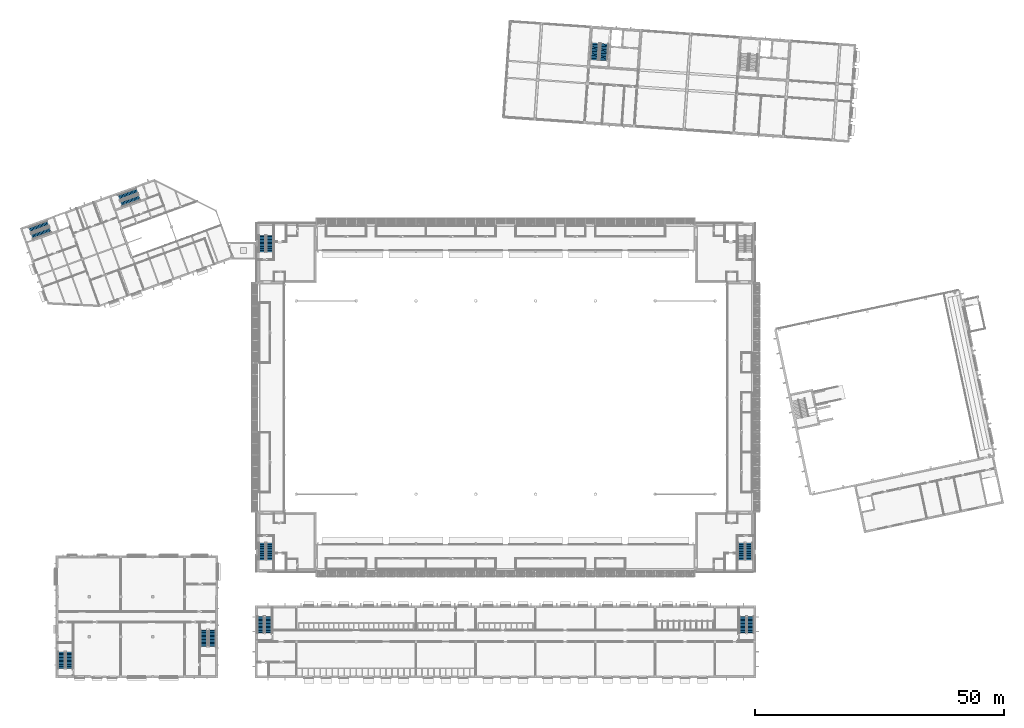
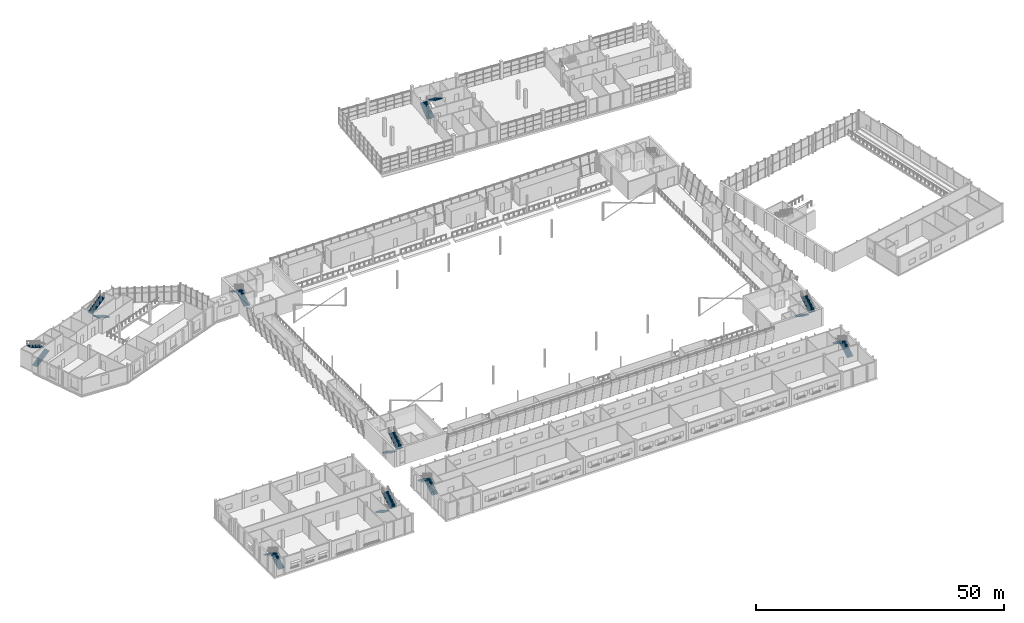
# One storey, part 79 of 115: 20 stair flights, 10 elements without a shape of their own.
"""IFC4 building model written with IfcOpenShell, lengths in metres."""

from ifc_helpers import new_model, si_unit, direction, frame, origin, place, context, subcontext, project, spatial, polyline, outline, extrude, material, type_object, element, aggregate, save


model = new_model("IFC4")

# Units and contexts
model_context = context("Model", 3, precision=1e-05, world=origin(), true_north=direction((0.0, 1.0)))
body_context = subcontext(model_context, "Body", "Model", "MODEL_VIEW")
ifc_project = project(units=[si_unit("LENGTHUNIT", "METRE"), si_unit("AREAUNIT", "SQUARE_METRE"), si_unit("VOLUMEUNIT", "CUBIC_METRE"), si_unit("PLANEANGLEUNIT", "RADIAN"), si_unit("MASSUNIT", "GRAM", prefix="KILO")], contexts=[model_context])

# Site, building, storey
site_placement = place(None, origin())
site = spatial("IfcSite", under=ifc_project, at=site_placement, CompositionType="ELEMENT")
building_placement = place(site_placement, origin())
building = spatial("IfcBuilding", under=site, at=building_placement, Name="Windward Yard Aquatics Centre", CompositionType="ELEMENT")
storey_placement = place(building_placement, frame((0.0, 0.0, 5.0)))
storey = spatial("IfcBuildingStorey", under=building, at=storey_placement, Name="L01", CompositionType="ELEMENT", Elevation=5.0)

# Stair, stair flights
ifc_material_1 = material(Name="Concrete C35/45", Category="concrete")
stair_type_1 = type_object("IfcStairType", Name="C Village stair 1 dog-leg stair", PredefinedType="HALF_TURN_STAIR", material=ifc_material_1)
stair_1_placement = place(storey_placement, origin())
stair_1 = element("IfcStair", 1, at=stair_1_placement, inside=storey, type_object=stair_type_1, Name="L01 Village stair 1", PredefinedType="HALF_TURN_STAIR")
stair_flight_type_1 = type_object("IfcStairFlightType", Name="C Village stair 1 stair flight", PredefinedType="STRAIGHT", material=ifc_material_1)
stair_flight_1_placement = place(storey_placement, frame((54.39990234375, 13.699951171875, 0.0), z_axis=(0.0, 0.0, 1.0), x_axis=(0.0, 1.0, 0.0)))
stair_flight_1 = element("IfcStairFlight", 2, at=stair_flight_1_placement, type_object=stair_flight_type_1, Name="C-ST1 flight 1", NumberOfRisers=13, NumberOfTreads=12, PredefinedType="STRAIGHT", RiserHeight=0.169230769, TreadLength=0.28, context=body_context, shape_type="SweptSolid", body=[
    extrude(outline(polyline([(0.0, 0.0), (0.0, 0.169189453125), (0.280029296875, 0.169189453125), (0.280029296875, 0.33837890625), (0.56005859375, 0.33837890625), (0.56005859375, 0.5078125), (0.840087890625, 0.5078125), (0.840087890625, 0.677001953125), (1.1201171875, 0.677001953125), (1.1201171875, 0.84619140625), (1.39990234375, 0.84619140625), (1.39990234375, 1.015380859375), (1.679931640625, 1.015380859375), (1.679931640625, 1.1845703125), (1.9599609375, 1.1845703125), (1.9599609375, 1.353759765625), (2.239990234375, 1.353759765625), (2.239990234375, 1.523193359375), (2.52001953125, 1.523193359375), (2.52001953125, 1.6923828125), (2.800048828125, 1.6923828125), (2.800048828125, 1.861572265625), (3.080078125, 1.861572265625), (3.080078125, 2.03076171875), (3.360107421875, 2.03076171875), (3.360107421875, 2.199951171875), (3.360107421875, 1.855712890625), (0.289794921875, 0.0), (0.0, 0.0)])), frame((0.0, 0.699951171875, 0.0), z_axis=(0.0, -1.0, 0.0), x_axis=(1.0, 0.0, 0.0)), (0.0, 0.0, 1.0), 1.39990234375),
])
stair_flight_2_placement = place(storey_placement, frame((52.85009765625, 17.06005859375, 2.199951171875), z_axis=(0.0, 0.0, 1.0), x_axis=(0.0, -1.0, 0.0)))
stair_flight_2 = element("IfcStairFlight", 3, at=stair_flight_2_placement, type_object=stair_flight_type_1, Name="C-ST1 flight 2", NumberOfRisers=13, NumberOfTreads=12, PredefinedType="STRAIGHT", RiserHeight=0.169230769, TreadLength=0.28, context=body_context, shape_type="SweptSolid", body=[
    extrude(outline(polyline([(0.0, 0.0), (0.0, 0.169189453125), (0.280029296875, 0.169189453125), (0.280029296875, 0.33837890625), (0.56005859375, 0.33837890625), (0.56005859375, 0.5078125), (0.840087890625, 0.5078125), (0.840087890625, 0.677001953125), (1.1201171875, 0.677001953125), (1.1201171875, 0.84619140625), (1.39990234375, 0.84619140625), (1.39990234375, 1.015380859375), (1.679931640625, 1.015380859375), (1.679931640625, 1.1845703125), (1.9599609375, 1.1845703125), (1.9599609375, 1.353759765625), (2.239990234375, 1.353759765625), (2.239990234375, 1.523193359375), (2.52001953125, 1.523193359375), (2.52001953125, 1.6923828125), (2.800048828125, 1.6923828125), (2.800048828125, 1.861572265625), (3.080078125, 1.861572265625), (3.080078125, 2.03076171875), (3.360107421875, 2.03076171875), (3.360107421875, 2.199951171875), (3.360107421875, 1.855712890625), (0.289794921875, 0.0), (0.0, 0.0)])), frame((0.0, 0.699951171875, 0.0), z_axis=(0.0, -1.0, 0.0), x_axis=(1.0, 0.0, 0.0)), (0.0, 0.0, 1.0), 1.39990234375),
])
aggregate(stair_1, [stair_flight_1, stair_flight_2])

stair_type_2 = type_object("IfcStairType", Name="C Village stair 2 dog-leg stair", PredefinedType="HALF_TURN_STAIR", material=ifc_material_1)
stair_2_placement = place(storey_placement, origin())
stair_2 = element("IfcStair", 4, at=stair_2_placement, inside=storey, type_object=stair_type_2, Name="L01 Village stair 2", PredefinedType="HALF_TURN_STAIR")
stair_flight_type_2 = type_object("IfcStairFlightType", Name="C Village stair 2 stair flight", PredefinedType="STRAIGHT", material=ifc_material_1)
stair_flight_3_placement = place(storey_placement, frame((151.14990234375, 13.699951171875, 0.0), z_axis=(0.0, 0.0, 1.0), x_axis=(0.0, 1.0, 0.0)))
stair_flight_3 = element("IfcStairFlight", 5, at=stair_flight_3_placement, type_object=stair_flight_type_2, Name="C-ST2 flight 1", NumberOfRisers=13, NumberOfTreads=12, PredefinedType="STRAIGHT", RiserHeight=0.169230769, TreadLength=0.28, context=body_context, shape_type="SweptSolid", body=[
    extrude(outline(polyline([(0.0, 0.0), (0.0, 0.169189453125), (0.280029296875, 0.169189453125), (0.280029296875, 0.33837890625), (0.56005859375, 0.33837890625), (0.56005859375, 0.5078125), (0.840087890625, 0.5078125), (0.840087890625, 0.677001953125), (1.1201171875, 0.677001953125), (1.1201171875, 0.84619140625), (1.39990234375, 0.84619140625), (1.39990234375, 1.015380859375), (1.679931640625, 1.015380859375), (1.679931640625, 1.1845703125), (1.9599609375, 1.1845703125), (1.9599609375, 1.353759765625), (2.239990234375, 1.353759765625), (2.239990234375, 1.523193359375), (2.52001953125, 1.523193359375), (2.52001953125, 1.6923828125), (2.800048828125, 1.6923828125), (2.800048828125, 1.861572265625), (3.080078125, 1.861572265625), (3.080078125, 2.03076171875), (3.360107421875, 2.03076171875), (3.360107421875, 2.199951171875), (3.360107421875, 1.855712890625), (0.289794921875, 0.0), (0.0, 0.0)])), frame((0.0, 0.699951171875, 0.0), z_axis=(0.0, -1.0, 0.0), x_axis=(1.0, 0.0, 0.0)), (0.0, 0.0, 1.0), 1.39990234375),
])
stair_flight_4_placement = place(storey_placement, frame((149.60009765625, 17.06005859375, 2.199951171875), z_axis=(0.0, 0.0, 1.0), x_axis=(0.0, -1.0, 0.0)))
stair_flight_4 = element("IfcStairFlight", 6, at=stair_flight_4_placement, type_object=stair_flight_type_2, Name="C-ST2 flight 2", NumberOfRisers=13, NumberOfTreads=12, PredefinedType="STRAIGHT", RiserHeight=0.169230769, TreadLength=0.28, context=body_context, shape_type="SweptSolid", body=[
    extrude(outline(polyline([(0.0, 0.0), (0.0, 0.169189453125), (0.280029296875, 0.169189453125), (0.280029296875, 0.33837890625), (0.56005859375, 0.33837890625), (0.56005859375, 0.5078125), (0.840087890625, 0.5078125), (0.840087890625, 0.677001953125), (1.1201171875, 0.677001953125), (1.1201171875, 0.84619140625), (1.39990234375, 0.84619140625), (1.39990234375, 1.015380859375), (1.679931640625, 1.015380859375), (1.679931640625, 1.1845703125), (1.9599609375, 1.1845703125), (1.9599609375, 1.353759765625), (2.239990234375, 1.353759765625), (2.239990234375, 1.523193359375), (2.52001953125, 1.523193359375), (2.52001953125, 1.6923828125), (2.800048828125, 1.6923828125), (2.800048828125, 1.861572265625), (3.080078125, 1.861572265625), (3.080078125, 2.03076171875), (3.360107421875, 2.03076171875), (3.360107421875, 2.199951171875), (3.360107421875, 1.855712890625), (0.289794921875, 0.0), (0.0, 0.0)])), frame((0.0, 0.699951171875, 0.0), z_axis=(0.0, -1.0, 0.0), x_axis=(1.0, 0.0, 0.0)), (0.0, 0.0, 1.0), 1.39990234375),
])
aggregate(stair_2, [stair_flight_3, stair_flight_4])

ifc_material_2 = material(Name="Concrete C40/50", Category="concrete")
stair_type_3 = type_object("IfcStairType", Name="F stair 1200 half-turn Concrete C40/50", PredefinedType="HALF_TURN_STAIR", material=ifc_material_2)
stair_3_placement = place(storey_placement, origin())
stair_3 = element("IfcStair", 7, at=stair_3_placement, inside=storey, type_object=stair_type_3, Name="F.ST.L01.S1", PredefinedType="HALF_TURN_STAIR")
stair_flight_type_3 = type_object("IfcStairFlightType", Name="F stair flight 1200 Concrete C40/50", PredefinedType="STRAIGHT", material=ifc_material_2)
stair_flight_5_placement = place(storey_placement, frame((6.960205078125, 93.291015625, 0.0), z_axis=(0.0, 0.0, 1.0), x_axis=(0.939692620786, 0.342020143326, 0.0)))
stair_flight_5 = element("IfcStairFlight", 8, at=stair_flight_5_placement, type_object=stair_flight_type_3, Name="FS1 flight 1", NumberOfRisers=15, NumberOfTreads=14, PredefinedType="STRAIGHT", RiserHeight=0.146666667, TreadLength=0.28, context=body_context, shape_type="SweptSolid", body=[
    extrude(outline(polyline([(0.0, 0.0), (0.0, 0.146728515625), (0.280029296875, 0.146728515625), (0.280029296875, 0.293212890625), (0.56005859375, 0.293212890625), (0.56005859375, 0.43994140625), (0.840087890625, 0.43994140625), (0.840087890625, 0.586669921875), (1.1201171875, 0.586669921875), (1.1201171875, 0.7333984375), (1.39990234375, 0.7333984375), (1.39990234375, 0.8798828125), (1.679931640625, 0.8798828125), (1.679931640625, 1.026611328125), (1.9599609375, 1.026611328125), (1.9599609375, 1.17333984375), (2.239990234375, 1.17333984375), (2.239990234375, 1.320068359375), (2.52001953125, 1.320068359375), (2.52001953125, 1.466552734375), (2.800048828125, 1.466552734375), (2.800048828125, 1.61328125), (3.080078125, 1.61328125), (3.080078125, 1.760009765625), (3.360107421875, 1.760009765625), (3.360107421875, 1.90673828125), (3.639892578125, 1.90673828125), (3.639892578125, 2.05322265625), (3.919921875, 2.05322265625), (3.919921875, 2.199951171875), (3.919921875, 1.884033203125), (0.322998046875, 0.0), (0.0, 0.0)])), frame((0.0, 0.60009765625, 0.0), z_axis=(0.0, -1.0, 0.0), x_axis=(1.0, 0.0, 0.0)), (0.0, 0.0, 1.0), 1.199951171875),
])
stair_flight_6_placement = place(storey_placement, frame((10.1650390625, 95.947265625, 2.199951171875), z_axis=(0.0, 0.0, 1.0), x_axis=(-0.939692620786, -0.342020143326, 0.0)))
stair_flight_6 = element("IfcStairFlight", 9, at=stair_flight_6_placement, type_object=stair_flight_type_3, Name="FS1 flight 2", NumberOfRisers=15, NumberOfTreads=14, PredefinedType="STRAIGHT", RiserHeight=0.146666667, TreadLength=0.28, context=body_context, shape_type="SweptSolid", body=[
    extrude(outline(polyline([(0.0, 0.0), (0.0, 0.146728515625), (0.280029296875, 0.146728515625), (0.280029296875, 0.293212890625), (0.56005859375, 0.293212890625), (0.56005859375, 0.43994140625), (0.840087890625, 0.43994140625), (0.840087890625, 0.586669921875), (1.1201171875, 0.586669921875), (1.1201171875, 0.7333984375), (1.39990234375, 0.7333984375), (1.39990234375, 0.8798828125), (1.679931640625, 0.8798828125), (1.679931640625, 1.026611328125), (1.9599609375, 1.026611328125), (1.9599609375, 1.17333984375), (2.239990234375, 1.17333984375), (2.239990234375, 1.320068359375), (2.52001953125, 1.320068359375), (2.52001953125, 1.466552734375), (2.800048828125, 1.466552734375), (2.800048828125, 1.61328125), (3.080078125, 1.61328125), (3.080078125, 1.760009765625), (3.360107421875, 1.760009765625), (3.360107421875, 1.90673828125), (3.639892578125, 1.90673828125), (3.639892578125, 2.05322265625), (3.919921875, 2.05322265625), (3.919921875, 2.199951171875), (3.919921875, 1.884033203125), (0.322998046875, 0.0), (0.0, 0.0)])), frame((0.0, 0.60009765625, 0.0), z_axis=(0.0, -1.0, 0.0), x_axis=(1.0, 0.0, 0.0)), (0.0, 0.0, 1.0), 1.199951171875),
])
aggregate(stair_3, [stair_flight_5, stair_flight_6])

stair_4_placement = place(storey_placement, origin())
stair_4 = element("IfcStair", 10, at=stair_4_placement, inside=storey, type_object=stair_type_3, Name="F.ST.L01.S2", PredefinedType="HALF_TURN_STAIR")
stair_flight_7_placement = place(storey_placement, frame((28.502685546875, 101.131591796875, 0.0), z_axis=(0.0, 0.0, 1.0), x_axis=(-0.939692620786, -0.342020143326, 0.0)))
stair_flight_7 = element("IfcStairFlight", 11, at=stair_flight_7_placement, type_object=stair_flight_type_3, Name="FS2 flight 1", NumberOfRisers=15, NumberOfTreads=14, PredefinedType="STRAIGHT", RiserHeight=0.146666667, TreadLength=0.28, context=body_context, shape_type="SweptSolid", body=[
    extrude(outline(polyline([(0.0, 0.0), (0.0, 0.146728515625), (0.280029296875, 0.146728515625), (0.280029296875, 0.293212890625), (0.56005859375, 0.293212890625), (0.56005859375, 0.43994140625), (0.840087890625, 0.43994140625), (0.840087890625, 0.586669921875), (1.1201171875, 0.586669921875), (1.1201171875, 0.7333984375), (1.39990234375, 0.7333984375), (1.39990234375, 0.8798828125), (1.679931640625, 0.8798828125), (1.679931640625, 1.026611328125), (1.9599609375, 1.026611328125), (1.9599609375, 1.17333984375), (2.239990234375, 1.17333984375), (2.239990234375, 1.320068359375), (2.52001953125, 1.320068359375), (2.52001953125, 1.466552734375), (2.800048828125, 1.466552734375), (2.800048828125, 1.61328125), (3.080078125, 1.61328125), (3.080078125, 1.760009765625), (3.360107421875, 1.760009765625), (3.360107421875, 1.90673828125), (3.639892578125, 1.90673828125), (3.639892578125, 2.05322265625), (3.919921875, 2.05322265625), (3.919921875, 2.199951171875), (3.919921875, 1.884033203125), (0.322998046875, 0.0), (0.0, 0.0)])), frame((0.0, 0.60009765625, 0.0), z_axis=(0.0, -1.0, 0.0), x_axis=(1.0, 0.0, 0.0)), (0.0, 0.0, 1.0), 1.199951171875),
])
stair_flight_8_placement = place(storey_placement, frame((24.34033203125, 101.1064453125, 2.199951171875), z_axis=(0.0, 0.0, 1.0), x_axis=(0.939692620786, 0.342020143326, 0.0)))
stair_flight_8 = element("IfcStairFlight", 12, at=stair_flight_8_placement, type_object=stair_flight_type_3, Name="FS2 flight 2", NumberOfRisers=15, NumberOfTreads=14, PredefinedType="STRAIGHT", RiserHeight=0.146666667, TreadLength=0.28, context=body_context, shape_type="SweptSolid", body=[
    extrude(outline(polyline([(0.0, 0.0), (0.0, 0.146728515625), (0.280029296875, 0.146728515625), (0.280029296875, 0.293212890625), (0.56005859375, 0.293212890625), (0.56005859375, 0.43994140625), (0.840087890625, 0.43994140625), (0.840087890625, 0.586669921875), (1.1201171875, 0.586669921875), (1.1201171875, 0.7333984375), (1.39990234375, 0.7333984375), (1.39990234375, 0.8798828125), (1.679931640625, 0.8798828125), (1.679931640625, 1.026611328125), (1.9599609375, 1.026611328125), (1.9599609375, 1.17333984375), (2.239990234375, 1.17333984375), (2.239990234375, 1.320068359375), (2.52001953125, 1.320068359375), (2.52001953125, 1.466552734375), (2.800048828125, 1.466552734375), (2.800048828125, 1.61328125), (3.080078125, 1.61328125), (3.080078125, 1.760009765625), (3.360107421875, 1.760009765625), (3.360107421875, 1.90673828125), (3.639892578125, 1.90673828125), (3.639892578125, 2.05322265625), (3.919921875, 2.05322265625), (3.919921875, 2.199951171875), (3.919921875, 1.884033203125), (0.322998046875, 0.0), (0.0, 0.0)])), frame((0.0, 0.60009765625, 0.0), z_axis=(0.0, -1.0, 0.0), x_axis=(1.0, 0.0, 0.0)), (0.0, 0.0, 1.0), 1.199951171875),
])
aggregate(stair_4, [stair_flight_7, stair_flight_8])

stair_type_4 = type_object("IfcStairType", Name="H Core Stair Concrete C35/45 1400", PredefinedType="HALF_TURN_STAIR", material=ifc_material_1)
stair_5_placement = place(storey_placement, origin())
stair_5 = element("IfcStair", 13, at=stair_5_placement, inside=storey, type_object=stair_type_4, Name="L01 Stair SW", PredefinedType="HALF_TURN_STAIR")
stair_flight_type_4 = type_object("IfcStairFlightType", Name="H Core Stair Flight Concrete C35/45 1400", PredefinedType="STRAIGHT", material=ifc_material_1)
stair_flight_9_placement = place(storey_placement, frame((53.14990234375, 31.800048828125, 0.0), z_axis=(0.0, 0.0, 1.0), x_axis=(0.0, -1.0, 0.0)))
stair_flight_9 = element("IfcStairFlight", 14, at=stair_flight_9_placement, type_object=stair_flight_type_4, Name="ST1 flight 1", NumberOfRisers=13, NumberOfTreads=12, PredefinedType="STRAIGHT", RiserHeight=0.169230769, TreadLength=0.28, context=body_context, shape_type="SweptSolid", body=[
    extrude(outline(polyline([(0.0, 0.0), (0.0, 0.169189453125), (0.280029296875, 0.169189453125), (0.280029296875, 0.33837890625), (0.56005859375, 0.33837890625), (0.56005859375, 0.5078125), (0.840087890625, 0.5078125), (0.840087890625, 0.677001953125), (1.1201171875, 0.677001953125), (1.1201171875, 0.84619140625), (1.39990234375, 0.84619140625), (1.39990234375, 1.015380859375), (1.679931640625, 1.015380859375), (1.679931640625, 1.1845703125), (1.9599609375, 1.1845703125), (1.9599609375, 1.353759765625), (2.239990234375, 1.353759765625), (2.239990234375, 1.523193359375), (2.52001953125, 1.523193359375), (2.52001953125, 1.6923828125), (2.800048828125, 1.6923828125), (2.800048828125, 1.861572265625), (3.080078125, 1.861572265625), (3.080078125, 2.03076171875), (3.360107421875, 2.03076171875), (3.360107421875, 2.199951171875), (3.360107421875, 1.855712890625), (0.289794921875, 0.0), (0.0, 0.0)])), frame((0.0, 0.699951171875, 0.0), z_axis=(0.0, -1.0, 0.0), x_axis=(1.0, 0.0, 0.0)), (0.0, 0.0, 1.0), 1.39990234375),
])
stair_flight_10_placement = place(storey_placement, frame((54.699951171875, 28.43994140625, 2.199951171875), z_axis=(0.0, 0.0, 1.0), x_axis=(0.0, 1.0, 0.0)))
stair_flight_10 = element("IfcStairFlight", 15, at=stair_flight_10_placement, type_object=stair_flight_type_4, Name="ST1 flight 2", NumberOfRisers=13, NumberOfTreads=12, PredefinedType="STRAIGHT", RiserHeight=0.169230769, TreadLength=0.28, context=body_context, shape_type="SweptSolid", body=[
    extrude(outline(polyline([(0.0, 0.0), (0.0, 0.169189453125), (0.280029296875, 0.169189453125), (0.280029296875, 0.33837890625), (0.56005859375, 0.33837890625), (0.56005859375, 0.5078125), (0.840087890625, 0.5078125), (0.840087890625, 0.677001953125), (1.1201171875, 0.677001953125), (1.1201171875, 0.84619140625), (1.39990234375, 0.84619140625), (1.39990234375, 1.015380859375), (1.679931640625, 1.015380859375), (1.679931640625, 1.1845703125), (1.9599609375, 1.1845703125), (1.9599609375, 1.353759765625), (2.239990234375, 1.353759765625), (2.239990234375, 1.523193359375), (2.52001953125, 1.523193359375), (2.52001953125, 1.6923828125), (2.800048828125, 1.6923828125), (2.800048828125, 1.861572265625), (3.080078125, 1.861572265625), (3.080078125, 2.03076171875), (3.360107421875, 2.03076171875), (3.360107421875, 2.199951171875), (3.360107421875, 1.855712890625), (0.289794921875, 0.0), (0.0, 0.0)])), frame((0.0, 0.699951171875, 0.0), z_axis=(0.0, -1.0, 0.0), x_axis=(1.0, 0.0, 0.0)), (0.0, 0.0, 1.0), 1.39990234375),
])
aggregate(stair_5, [stair_flight_9, stair_flight_10])

stair_6_placement = place(storey_placement, origin())
stair_6 = element("IfcStair", 16, at=stair_6_placement, inside=storey, type_object=stair_type_4, Name="L01 Stair SE", PredefinedType="HALF_TURN_STAIR")
stair_flight_11_placement = place(storey_placement, frame((149.300048828125, 31.800048828125, 0.0), z_axis=(0.0, 0.0, 1.0), x_axis=(0.0, -1.0, 0.0)))
stair_flight_11 = element("IfcStairFlight", 17, at=stair_flight_11_placement, type_object=stair_flight_type_4, Name="ST2 flight 1", NumberOfRisers=13, NumberOfTreads=12, PredefinedType="STRAIGHT", RiserHeight=0.169230769, TreadLength=0.28, context=body_context, shape_type="SweptSolid", body=[
    extrude(outline(polyline([(0.0, 0.0), (0.0, 0.169189453125), (0.280029296875, 0.169189453125), (0.280029296875, 0.33837890625), (0.56005859375, 0.33837890625), (0.56005859375, 0.5078125), (0.840087890625, 0.5078125), (0.840087890625, 0.677001953125), (1.1201171875, 0.677001953125), (1.1201171875, 0.84619140625), (1.39990234375, 0.84619140625), (1.39990234375, 1.015380859375), (1.679931640625, 1.015380859375), (1.679931640625, 1.1845703125), (1.9599609375, 1.1845703125), (1.9599609375, 1.353759765625), (2.239990234375, 1.353759765625), (2.239990234375, 1.523193359375), (2.52001953125, 1.523193359375), (2.52001953125, 1.6923828125), (2.800048828125, 1.6923828125), (2.800048828125, 1.861572265625), (3.080078125, 1.861572265625), (3.080078125, 2.03076171875), (3.360107421875, 2.03076171875), (3.360107421875, 2.199951171875), (3.360107421875, 1.855712890625), (0.289794921875, 0.0), (0.0, 0.0)])), frame((0.0, 0.699951171875, 0.0), z_axis=(0.0, -1.0, 0.0), x_axis=(1.0, 0.0, 0.0)), (0.0, 0.0, 1.0), 1.39990234375),
])
stair_flight_12_placement = place(storey_placement, frame((150.85009765625, 28.43994140625, 2.199951171875), z_axis=(0.0, 0.0, 1.0), x_axis=(0.0, 1.0, 0.0)))
stair_flight_12 = element("IfcStairFlight", 18, at=stair_flight_12_placement, type_object=stair_flight_type_4, Name="ST2 flight 2", NumberOfRisers=13, NumberOfTreads=12, PredefinedType="STRAIGHT", RiserHeight=0.169230769, TreadLength=0.28, context=body_context, shape_type="SweptSolid", body=[
    extrude(outline(polyline([(0.0, 0.0), (0.0, 0.169189453125), (0.280029296875, 0.169189453125), (0.280029296875, 0.33837890625), (0.56005859375, 0.33837890625), (0.56005859375, 0.5078125), (0.840087890625, 0.5078125), (0.840087890625, 0.677001953125), (1.1201171875, 0.677001953125), (1.1201171875, 0.84619140625), (1.39990234375, 0.84619140625), (1.39990234375, 1.015380859375), (1.679931640625, 1.015380859375), (1.679931640625, 1.1845703125), (1.9599609375, 1.1845703125), (1.9599609375, 1.353759765625), (2.239990234375, 1.353759765625), (2.239990234375, 1.523193359375), (2.52001953125, 1.523193359375), (2.52001953125, 1.6923828125), (2.800048828125, 1.6923828125), (2.800048828125, 1.861572265625), (3.080078125, 1.861572265625), (3.080078125, 2.03076171875), (3.360107421875, 2.03076171875), (3.360107421875, 2.199951171875), (3.360107421875, 1.855712890625), (0.289794921875, 0.0), (0.0, 0.0)])), frame((0.0, 0.699951171875, 0.0), z_axis=(0.0, -1.0, 0.0), x_axis=(1.0, 0.0, 0.0)), (0.0, 0.0, 1.0), 1.39990234375),
])
aggregate(stair_6, [stair_flight_11, stair_flight_12])

stair_7_placement = place(storey_placement, origin())
stair_7 = element("IfcStair", 19, at=stair_7_placement, inside=storey, type_object=stair_type_4, Name="L01 Stair NW", PredefinedType="HALF_TURN_STAIR")
stair_flight_13_placement = place(storey_placement, frame((54.699951171875, 90.199951171875, 0.0), z_axis=(0.0, 0.0, 1.0), x_axis=(0.0, 1.0, 0.0)))
stair_flight_13 = element("IfcStairFlight", 20, at=stair_flight_13_placement, type_object=stair_flight_type_4, Name="ST3 flight 1", NumberOfRisers=13, NumberOfTreads=12, PredefinedType="STRAIGHT", RiserHeight=0.169230769, TreadLength=0.28, context=body_context, shape_type="SweptSolid", body=[
    extrude(outline(polyline([(0.0, 0.0), (0.0, 0.169189453125), (0.280029296875, 0.169189453125), (0.280029296875, 0.33837890625), (0.56005859375, 0.33837890625), (0.56005859375, 0.5078125), (0.840087890625, 0.5078125), (0.840087890625, 0.677001953125), (1.1201171875, 0.677001953125), (1.1201171875, 0.84619140625), (1.39990234375, 0.84619140625), (1.39990234375, 1.015380859375), (1.679931640625, 1.015380859375), (1.679931640625, 1.1845703125), (1.9599609375, 1.1845703125), (1.9599609375, 1.353759765625), (2.239990234375, 1.353759765625), (2.239990234375, 1.523193359375), (2.52001953125, 1.523193359375), (2.52001953125, 1.6923828125), (2.800048828125, 1.6923828125), (2.800048828125, 1.861572265625), (3.080078125, 1.861572265625), (3.080078125, 2.03076171875), (3.360107421875, 2.03076171875), (3.360107421875, 2.199951171875), (3.360107421875, 1.855712890625), (0.289794921875, 0.0), (0.0, 0.0)])), frame((0.0, 0.699951171875, 0.0), z_axis=(0.0, -1.0, 0.0), x_axis=(1.0, 0.0, 0.0)), (0.0, 0.0, 1.0), 1.39990234375),
])
stair_flight_14_placement = place(storey_placement, frame((53.14990234375, 93.56005859375, 2.199951171875), z_axis=(0.0, 0.0, 1.0), x_axis=(0.0, -1.0, 0.0)))
stair_flight_14 = element("IfcStairFlight", 21, at=stair_flight_14_placement, type_object=stair_flight_type_4, Name="ST3 flight 2", NumberOfRisers=13, NumberOfTreads=12, PredefinedType="STRAIGHT", RiserHeight=0.169230769, TreadLength=0.28, context=body_context, shape_type="SweptSolid", body=[
    extrude(outline(polyline([(0.0, 0.0), (0.0, 0.169189453125), (0.280029296875, 0.169189453125), (0.280029296875, 0.33837890625), (0.56005859375, 0.33837890625), (0.56005859375, 0.5078125), (0.840087890625, 0.5078125), (0.840087890625, 0.677001953125), (1.1201171875, 0.677001953125), (1.1201171875, 0.84619140625), (1.39990234375, 0.84619140625), (1.39990234375, 1.015380859375), (1.679931640625, 1.015380859375), (1.679931640625, 1.1845703125), (1.9599609375, 1.1845703125), (1.9599609375, 1.353759765625), (2.239990234375, 1.353759765625), (2.239990234375, 1.523193359375), (2.52001953125, 1.523193359375), (2.52001953125, 1.6923828125), (2.800048828125, 1.6923828125), (2.800048828125, 1.861572265625), (3.080078125, 1.861572265625), (3.080078125, 2.03076171875), (3.360107421875, 2.03076171875), (3.360107421875, 2.199951171875), (3.360107421875, 1.855712890625), (0.289794921875, 0.0), (0.0, 0.0)])), frame((0.0, 0.699951171875, 0.0), z_axis=(0.0, -1.0, 0.0), x_axis=(1.0, 0.0, 0.0)), (0.0, 0.0, 1.0), 1.39990234375),
])
aggregate(stair_7, [stair_flight_13, stair_flight_14])

stair_type_5 = type_object("IfcStairType", Name="P Plant stair 1 dog-leg stair", PredefinedType="HALF_TURN_STAIR", material=ifc_material_1)
stair_8_placement = place(storey_placement, origin())
stair_8 = element("IfcStair", 22, at=stair_8_placement, inside=storey, type_object=stair_type_5, Name="L01 Plant stair 1", PredefinedType="HALF_TURN_STAIR")
stair_flight_type_5 = type_object("IfcStairFlightType", Name="P Plant stair 1 stair flight", PredefinedType="STRAIGHT", material=ifc_material_1)
stair_flight_15_placement = place(storey_placement, frame((14.449951171875, 6.60009765625, 0.0), z_axis=(0.0, 0.0, 1.0), x_axis=(0.0, 1.0, 0.0)))
stair_flight_15 = element("IfcStairFlight", 23, at=stair_flight_15_placement, type_object=stair_flight_type_5, Name="P-ST1 flight 1", NumberOfRisers=13, NumberOfTreads=12, PredefinedType="STRAIGHT", RiserHeight=0.169230769, TreadLength=0.28, context=body_context, shape_type="SweptSolid", body=[
    extrude(outline(polyline([(0.0, 0.0), (0.0, 0.169189453125), (0.280029296875, 0.169189453125), (0.280029296875, 0.33837890625), (0.56005859375, 0.33837890625), (0.56005859375, 0.5078125), (0.840087890625, 0.5078125), (0.840087890625, 0.677001953125), (1.1201171875, 0.677001953125), (1.1201171875, 0.84619140625), (1.39990234375, 0.84619140625), (1.39990234375, 1.015380859375), (1.679931640625, 1.015380859375), (1.679931640625, 1.1845703125), (1.9599609375, 1.1845703125), (1.9599609375, 1.353759765625), (2.239990234375, 1.353759765625), (2.239990234375, 1.523193359375), (2.52001953125, 1.523193359375), (2.52001953125, 1.6923828125), (2.800048828125, 1.6923828125), (2.800048828125, 1.861572265625), (3.080078125, 1.861572265625), (3.080078125, 2.03076171875), (3.360107421875, 2.03076171875), (3.360107421875, 2.199951171875), (3.360107421875, 1.855712890625), (0.289794921875, 0.0), (0.0, 0.0)])), frame((0.0, 0.699951171875, 0.0), z_axis=(0.0, -1.0, 0.0), x_axis=(1.0, 0.0, 0.0)), (0.0, 0.0, 1.0), 1.39990234375),
])
stair_flight_16_placement = place(storey_placement, frame((12.85009765625, 9.9599609375, 2.199951171875), z_axis=(0.0, 0.0, 1.0), x_axis=(0.0, -1.0, 0.0)))
stair_flight_16 = element("IfcStairFlight", 24, at=stair_flight_16_placement, type_object=stair_flight_type_5, Name="P-ST1 flight 2", NumberOfRisers=13, NumberOfTreads=12, PredefinedType="STRAIGHT", RiserHeight=0.169230769, TreadLength=0.28, context=body_context, shape_type="SweptSolid", body=[
    extrude(outline(polyline([(0.0, 0.0), (0.0, 0.169189453125), (0.280029296875, 0.169189453125), (0.280029296875, 0.33837890625), (0.56005859375, 0.33837890625), (0.56005859375, 0.5078125), (0.840087890625, 0.5078125), (0.840087890625, 0.677001953125), (1.1201171875, 0.677001953125), (1.1201171875, 0.84619140625), (1.39990234375, 0.84619140625), (1.39990234375, 1.015380859375), (1.679931640625, 1.015380859375), (1.679931640625, 1.1845703125), (1.9599609375, 1.1845703125), (1.9599609375, 1.353759765625), (2.239990234375, 1.353759765625), (2.239990234375, 1.523193359375), (2.52001953125, 1.523193359375), (2.52001953125, 1.6923828125), (2.800048828125, 1.6923828125), (2.800048828125, 1.861572265625), (3.080078125, 1.861572265625), (3.080078125, 2.03076171875), (3.360107421875, 2.03076171875), (3.360107421875, 2.199951171875), (3.360107421875, 1.855712890625), (0.289794921875, 0.0), (0.0, 0.0)])), frame((0.0, 0.699951171875, 0.0), z_axis=(0.0, -1.0, 0.0), x_axis=(1.0, 0.0, 0.0)), (0.0, 0.0, 1.0), 1.39990234375),
])
aggregate(stair_8, [stair_flight_15, stair_flight_16])

stair_type_6 = type_object("IfcStairType", Name="P Plant stair 2 dog-leg stair", PredefinedType="HALF_TURN_STAIR", material=ifc_material_1)
stair_9_placement = place(storey_placement, origin())
stair_9 = element("IfcStair", 25, at=stair_9_placement, inside=storey, type_object=stair_type_6, Name="L01 Plant stair 2", PredefinedType="HALF_TURN_STAIR")
stair_flight_type_6 = type_object("IfcStairFlightType", Name="P Plant stair 2 stair flight", PredefinedType="STRAIGHT", material=ifc_material_1)
stair_flight_17_placement = place(storey_placement, frame((41.449951171875, 14.39990234375, 0.0), z_axis=(0.0, 0.0, 1.0), x_axis=(0.0, -1.0, 0.0)))
stair_flight_17 = element("IfcStairFlight", 26, at=stair_flight_17_placement, type_object=stair_flight_type_6, Name="P-ST2 flight 1", NumberOfRisers=13, NumberOfTreads=12, PredefinedType="STRAIGHT", RiserHeight=0.169230769, TreadLength=0.28, context=body_context, shape_type="SweptSolid", body=[
    extrude(outline(polyline([(0.0, 0.0), (0.0, 0.169189453125), (0.280029296875, 0.169189453125), (0.280029296875, 0.33837890625), (0.56005859375, 0.33837890625), (0.56005859375, 0.5078125), (0.840087890625, 0.5078125), (0.840087890625, 0.677001953125), (1.1201171875, 0.677001953125), (1.1201171875, 0.84619140625), (1.39990234375, 0.84619140625), (1.39990234375, 1.015380859375), (1.679931640625, 1.015380859375), (1.679931640625, 1.1845703125), (1.9599609375, 1.1845703125), (1.9599609375, 1.353759765625), (2.239990234375, 1.353759765625), (2.239990234375, 1.523193359375), (2.52001953125, 1.523193359375), (2.52001953125, 1.6923828125), (2.800048828125, 1.6923828125), (2.800048828125, 1.861572265625), (3.080078125, 1.861572265625), (3.080078125, 2.03076171875), (3.360107421875, 2.03076171875), (3.360107421875, 2.199951171875), (3.360107421875, 1.855712890625), (0.289794921875, 0.0), (0.0, 0.0)])), frame((0.0, 0.699951171875, 0.0), z_axis=(0.0, -1.0, 0.0), x_axis=(1.0, 0.0, 0.0)), (0.0, 0.0, 1.0), 1.39990234375),
])
stair_flight_18_placement = place(storey_placement, frame((43.14990234375, 11.0400390625, 2.199951171875), z_axis=(0.0, 0.0, 1.0), x_axis=(0.0, 1.0, 0.0)))
stair_flight_18 = element("IfcStairFlight", 27, at=stair_flight_18_placement, type_object=stair_flight_type_6, Name="P-ST2 flight 2", NumberOfRisers=13, NumberOfTreads=12, PredefinedType="STRAIGHT", RiserHeight=0.169230769, TreadLength=0.28, context=body_context, shape_type="SweptSolid", body=[
    extrude(outline(polyline([(0.0, 0.0), (0.0, 0.169189453125), (0.280029296875, 0.169189453125), (0.280029296875, 0.33837890625), (0.56005859375, 0.33837890625), (0.56005859375, 0.5078125), (0.840087890625, 0.5078125), (0.840087890625, 0.677001953125), (1.1201171875, 0.677001953125), (1.1201171875, 0.84619140625), (1.39990234375, 0.84619140625), (1.39990234375, 1.015380859375), (1.679931640625, 1.015380859375), (1.679931640625, 1.1845703125), (1.9599609375, 1.1845703125), (1.9599609375, 1.353759765625), (2.239990234375, 1.353759765625), (2.239990234375, 1.523193359375), (2.52001953125, 1.523193359375), (2.52001953125, 1.6923828125), (2.800048828125, 1.6923828125), (2.800048828125, 1.861572265625), (3.080078125, 1.861572265625), (3.080078125, 2.03076171875), (3.360107421875, 2.03076171875), (3.360107421875, 2.199951171875), (3.360107421875, 1.855712890625), (0.289794921875, 0.0), (0.0, 0.0)])), frame((0.0, 0.699951171875, 0.0), z_axis=(0.0, -1.0, 0.0), x_axis=(1.0, 0.0, 0.0)), (0.0, 0.0, 1.0), 1.39990234375),
])
aggregate(stair_9, [stair_flight_17, stair_flight_18])

stair_type_7 = type_object("IfcStairType", Name="W exit stair 1600", PredefinedType="HALF_TURN_STAIR", material=ifc_material_1)
stair_10_placement = place(storey_placement, origin())
stair_10 = element("IfcStair", 28, at=stair_10_placement, inside=storey, type_object=stair_type_7, Name="W.ST.W.L01", PredefinedType="HALF_TURN_STAIR")
stair_flight_type_7 = type_object("IfcStairFlightType", Name="W stair flight 1600 Concrete C35/45", PredefinedType="STRAIGHT", material=ifc_material_1)
stair_flight_19_placement = place(storey_placement, frame((119.772216796875, 128.763427734375, 0.0), z_axis=(0.0, 0.0, 1.0), x_axis=(0.069756473744, 0.99756405026, 0.0)))
stair_flight_19 = element("IfcStairFlight", 29, at=stair_flight_19_placement, type_object=stair_flight_type_7, Name="ST-W flight 1", NumberOfRisers=13, NumberOfTreads=12, PredefinedType="STRAIGHT", RiserHeight=0.169230769, TreadLength=0.28, context=body_context, shape_type="SweptSolid", body=[
    extrude(outline(polyline([(0.0, 0.0), (0.0, 0.169189453125), (0.280029296875, 0.169189453125), (0.280029296875, 0.33837890625), (0.56005859375, 0.33837890625), (0.56005859375, 0.5078125), (0.840087890625, 0.5078125), (0.840087890625, 0.677001953125), (1.1201171875, 0.677001953125), (1.1201171875, 0.84619140625), (1.39990234375, 0.84619140625), (1.39990234375, 1.015380859375), (1.679931640625, 1.015380859375), (1.679931640625, 1.1845703125), (1.9599609375, 1.1845703125), (1.9599609375, 1.353759765625), (2.239990234375, 1.353759765625), (2.239990234375, 1.523193359375), (2.52001953125, 1.523193359375), (2.52001953125, 1.6923828125), (2.800048828125, 1.6923828125), (2.800048828125, 1.861572265625), (3.080078125, 1.861572265625), (3.080078125, 2.03076171875), (3.360107421875, 2.03076171875), (3.360107421875, 2.199951171875), (3.360107421875, 1.855712890625), (0.289794921875, 0.0), (0.0, 0.0)])), frame((0.0, 0.800048828125, 0.0), z_axis=(0.0, -1.0, 0.0), x_axis=(1.0, 0.0, 0.0)), (0.0, 0.0, 1.0), 1.60009765625),
])
stair_flight_20_placement = place(storey_placement, frame((121.85205078125, 131.986083984375, 2.199951171875), z_axis=(0.0, 0.0, 1.0), x_axis=(-0.069756473744, -0.99756405026, 0.0)))
stair_flight_20 = element("IfcStairFlight", 30, at=stair_flight_20_placement, type_object=stair_flight_type_7, Name="ST-W flight 2", NumberOfRisers=13, NumberOfTreads=12, PredefinedType="STRAIGHT", RiserHeight=0.169230769, TreadLength=0.28, context=body_context, shape_type="SweptSolid", body=[
    extrude(outline(polyline([(0.0, 0.0), (0.0, 0.169189453125), (0.280029296875, 0.169189453125), (0.280029296875, 0.33837890625), (0.56005859375, 0.33837890625), (0.56005859375, 0.5078125), (0.840087890625, 0.5078125), (0.840087890625, 0.677001953125), (1.1201171875, 0.677001953125), (1.1201171875, 0.84619140625), (1.39990234375, 0.84619140625), (1.39990234375, 1.015380859375), (1.679931640625, 1.015380859375), (1.679931640625, 1.1845703125), (1.9599609375, 1.1845703125), (1.9599609375, 1.353759765625), (2.239990234375, 1.353759765625), (2.239990234375, 1.523193359375), (2.52001953125, 1.523193359375), (2.52001953125, 1.6923828125), (2.800048828125, 1.6923828125), (2.800048828125, 1.861572265625), (3.080078125, 1.861572265625), (3.080078125, 2.03076171875), (3.360107421875, 2.03076171875), (3.360107421875, 2.199951171875), (3.360107421875, 1.855712890625), (0.289794921875, 0.0), (0.0, 0.0)])), frame((0.0, 0.800048828125, 0.0), z_axis=(0.0, -1.0, 0.0), x_axis=(1.0, 0.0, 0.0)), (0.0, 0.0, 1.0), 1.60009765625),
])
aggregate(stair_10, [stair_flight_19, stair_flight_20])

save(model, "model.ifc")
